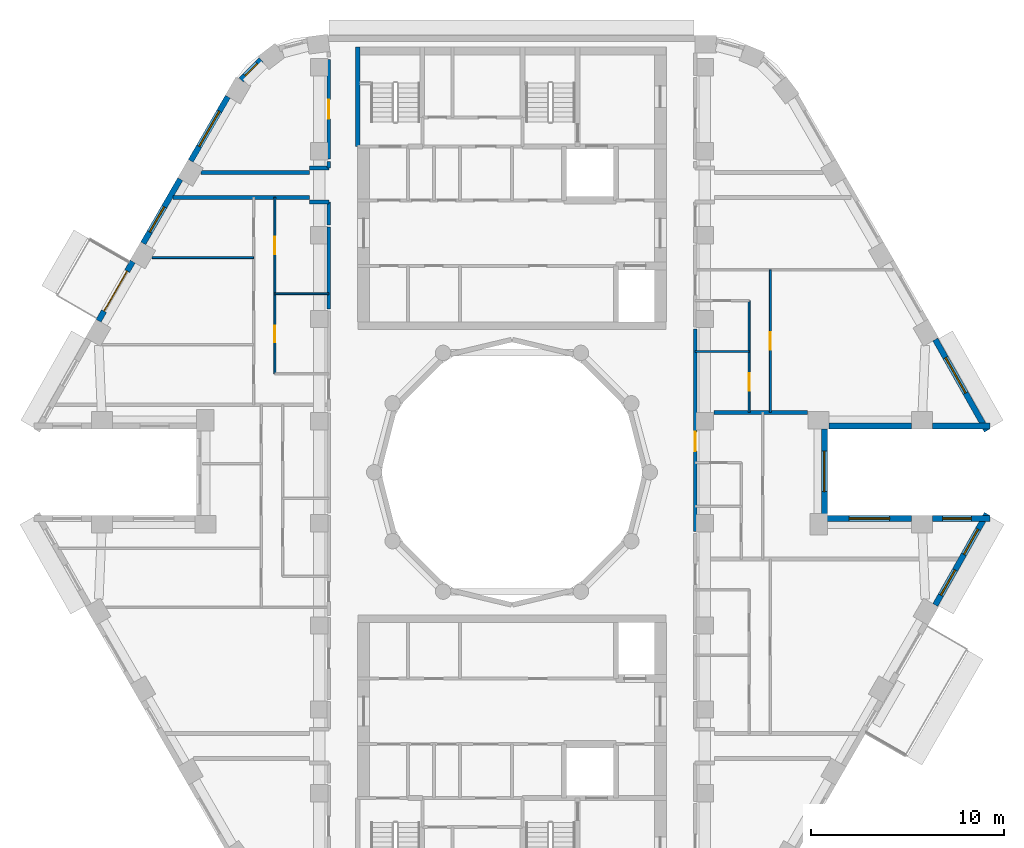
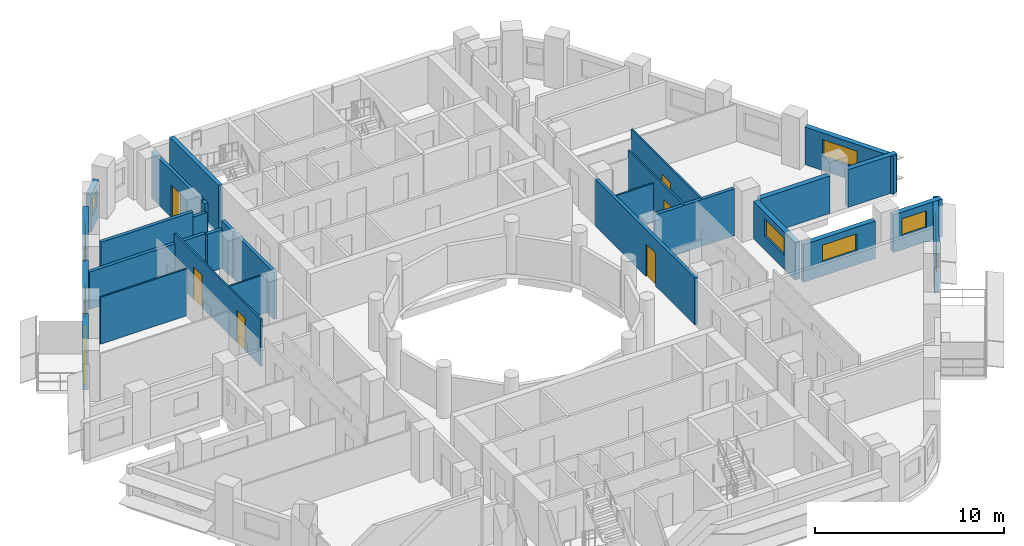
# One storey, part 6 of 14: 28 walls, 9 windows, 7 doors, 16 openings.
"""IFC4 building model written with IfcOpenShell, lengths in metres."""

import ifcopenshell
import ifcopenshell.guid

model = None  # the IFC model being written
_history = None  # IfcOwnerHistory: only IFC2X3 demands one
_inside = {}  # id of a spatial element -> (the spatial element, [elements in it])
_under = {}  # id of a project, library or spatial element -> (it, [spatial elements below it])
_declared = {}  # id of a project -> (the project, [libraries it declares])
_typed = {}  # id of a type object -> (the type object, [elements of that type])
_made_of = {}  # id of a material, layer set ... -> (it, [elements and type objects made of it])


def new_model(schema):
    """Start an empty IFC model of exactly this schema.

    Asked for "IFC4X3", IfcOpenShell would pick the latest addendum, in which some entities
    have other attributes; the version numbers below select the first issue.
    IFC2X3 requires an IfcOwnerHistory on every rooted entity: one is made here for all.
    """
    global model, _history
    if schema == "IFC4X3":
        model = ifcopenshell.file(schema_version=(4, 3, 0, 0))
    else:
        model = ifcopenshell.file(schema=schema)
    _inside.clear()
    _under.clear()
    _declared.clear()
    _typed.clear()
    _made_of.clear()
    _history = None
    if model.schema == "IFC2X3":
        org = make("IfcOrganization", Name="unknown")
        user = make(
            "IfcPersonAndOrganization",
            ThePerson=make("IfcPerson", FamilyName="unknown"),
            TheOrganization=org,
        )
        app = make(
            "IfcApplication",
            ApplicationDeveloper=org,
            Version="unknown",
            ApplicationFullName="unknown",
            ApplicationIdentifier="unknown",
        )
        _history = make(
            "IfcOwnerHistory",
            OwningUser=user,
            OwningApplication=app,
            ChangeAction="ADDED",
            CreationDate=0,
        )
    return model


def make(cls, **values):
    """One entity of the class cls with the attributes given. An attribute that is None is left unset."""
    return model.create_entity(
        cls, **{name: value for name, value in values.items() if value is not None}
    )


def rooted(cls, **values):
    """An entity with a GlobalId (a new one), such as an element, a storey or a relation."""
    return make(cls, GlobalId=ifcopenshell.guid.new(), OwnerHistory=_history, **values)


def si_unit(unit_type, name, prefix=None):
    """IfcSIUnit, for example si_unit("LENGTHUNIT", "METRE", prefix="MILLI")."""
    return make("IfcSIUnit", UnitType=unit_type, Prefix=prefix, Name=name)


def assignment(units):
    """IfcUnitAssignment: the units of a project."""
    return None if units is None else make("IfcUnitAssignment", Units=units)


def point(xyz):
    """IfcCartesianPoint."""
    return None if xyz is None else make("IfcCartesianPoint", Coordinates=xyz)


def direction(xyz):
    """IfcDirection."""
    return None if xyz is None else make("IfcDirection", DirectionRatios=xyz)


def frame(location, z_axis=None, x_axis=None):
    """IfcAxis2Placement3D, a coordinate frame: its origin and axes. An axis left out is left unset."""
    return make(
        "IfcAxis2Placement3D",
        Location=point(location),
        Axis=direction(z_axis),
        RefDirection=direction(x_axis),
    )


def frame_2d(location, x_axis=None):
    """IfcAxis2Placement2D, a coordinate frame in the plane: its origin and x axis."""
    return make(
        "IfcAxis2Placement2D", Location=point(location), RefDirection=direction(x_axis)
    )


def origin():
    """The frame at (0, 0, 0) with its axes left unset."""
    return frame((0.0, 0.0, 0.0))


def place(relative_to, where):
    """IfcLocalPlacement: puts the frame where relative to a parent placement (None: the world)."""
    return make(
        "IfcLocalPlacement", PlacementRelTo=relative_to, RelativePlacement=where
    )


def context(
    kind, dimensions, precision=None, world=None, true_north=None, identifier=None
):
    """IfcGeometricRepresentationContext, for example the 3D "Model" context."""
    return make(
        "IfcGeometricRepresentationContext",
        ContextIdentifier=identifier,
        ContextType=kind,
        CoordinateSpaceDimension=dimensions,
        Precision=precision,
        WorldCoordinateSystem=world,
        TrueNorth=true_north,
    )


def subcontext(parent, identifier, kind, view, scale=None):
    """IfcGeometricRepresentationSubContext, for example "Body" below "Model"."""
    return make(
        "IfcGeometricRepresentationSubContext",
        ContextIdentifier=identifier,
        ContextType=kind,
        ParentContext=parent,
        TargetScale=scale,
        TargetView=view,
    )


def project(units=None, contexts=None):
    """IfcProject with its units and contexts."""
    return rooted(
        "IfcProject",
        Name="project",
        RepresentationContexts=contexts,
        UnitsInContext=assignment(units),
    )


def spatial(cls, under=None, at=None, **own):
    """A site, building, storey or space (cls), placed at a placement, below another one or the project."""
    s = rooted(cls, ObjectPlacement=at, **own)
    if under is not None:
        _under.setdefault(under.id(), (under, []))[1].append(s)
    return s


def profile(cls, at=None, kind="AREA", **sizes):
    """A parametric profile (cls). Its sizes go by their IFC names, for example OverallWidth=200.0."""
    return make(cls, ProfileType=kind, Position=at, **sizes)


def rectangle(**sizes):
    """IfcRectangleProfileDef."""
    return profile("IfcRectangleProfileDef", **sizes)


def extrude(swept, where, along, depth):
    """IfcExtrudedAreaSolid: the profile swept, set in the frame where, extruded along a direction by depth."""
    return make(
        "IfcExtrudedAreaSolid",
        SweptArea=swept,
        Position=where,
        ExtrudedDirection=direction(along),
        Depth=depth,
    )


def shape(context_of_items, identifier, shape_type, items):
    """IfcShapeRepresentation: the items that make up one representation, for example the "Body"."""
    return make(
        "IfcShapeRepresentation",
        ContextOfItems=context_of_items,
        RepresentationIdentifier=identifier,
        RepresentationType=shape_type,
        Items=items,
    )


def material(Name=None, Category=None):
    """IfcMaterial."""
    return make("IfcMaterial", Name=Name, Category=Category)


def layer(
    of_material, thickness, ventilated=None, Name=None, Category=None, Priority=None
):
    """IfcMaterialLayer: one layer of a wall or slab, of a material (None: an air gap)."""
    return make(
        "IfcMaterialLayer",
        Material=of_material,
        LayerThickness=thickness,
        IsVentilated=ventilated,
        Name=Name,
        Category=Category,
        Priority=Priority,
    )


def layer_set(layers, Name=None):
    """IfcMaterialLayerSet."""
    return make("IfcMaterialLayerSet", MaterialLayers=layers, LayerSetName=Name)


def made_of(thing, what):
    """Note that an element or type object is made of a material, layer set ...; save() writes the relation."""
    if what is not None:
        _made_of.setdefault(what.id(), (what, []))[1].append(thing)
    return thing


def type_object(cls, material=None, **own):
    """A type object (cls), such as IfcWallType, which elements share."""
    return made_of(rooted(cls, **own), material)


def element(
    cls,
    number,
    at=None,
    inside=None,
    cuts=None,
    type_object=None,
    material=None,
    context=None,
    identifier="Body",
    shape_type=None,
    held_by="IfcProductDefinitionShape",
    body=None,
    shapes=None,
    **own,
):
    """One element of the class cls, such as IfcWall. Its Tag is "e" and its number.

    at: its placement. inside: the storey or other place that contains it. cuts: it is an
    opening in that element (IfcRelVoidsElement). A single representation is given by context,
    identifier, shape_type and body (its items); several are given by shapes. held_by: the class
    of the entity that holds the representations. save() writes the other relations.
    """
    e = rooted(cls, Tag="e%d" % number, ObjectPlacement=at, **own)
    if body is not None:
        shapes = [shape(context, identifier, shape_type, body)]
    if shapes is not None:
        e.Representation = make(held_by, Representations=shapes)
    if inside is not None:
        _inside.setdefault(inside.id(), (inside, []))[1].append(e)
    if cuts is not None:
        rooted(
            "IfcRelVoidsElement", RelatingBuildingElement=cuts, RelatedOpeningElement=e
        )
    if type_object is not None:
        _typed.setdefault(type_object.id(), (type_object, []))[1].append(e)
    return made_of(e, material)


def fill(opening, filler):
    """IfcRelFillsElement: the door or window that sits in an opening."""
    return rooted(
        "IfcRelFillsElement",
        RelatingOpeningElement=opening,
        RelatedBuildingElement=filler,
    )


def aggregate(whole, parts):
    """IfcRelAggregates: a whole, such as a stair, and the parts it consists of."""
    return rooted("IfcRelAggregates", RelatingObject=whole, RelatedObjects=parts)


def save(model, path):
    """Write the relations noted so far, then the file.

    IfcRelAggregates (storeys below a building ...), IfcRelContainedInSpatialStructure (elements
    in a storey), IfcRelDefinesByType, IfcRelAssociatesMaterial and IfcRelDeclares: one each for
    every whole, place, type object, material and project.
    """
    for whole, parts in _under.values():
        aggregate(whole, parts)
    for where, things in _inside.values():
        rooted(
            "IfcRelContainedInSpatialStructure",
            RelatedElements=things,
            RelatingStructure=where,
        )
    for kind, things in _typed.values():
        rooted("IfcRelDefinesByType", RelatedObjects=things, RelatingType=kind)
    for what, things in _made_of.values():
        rooted("IfcRelAssociatesMaterial", RelatedObjects=things, RelatingMaterial=what)
    for by, libraries in _declared.values():
        rooted("IfcRelDeclares", RelatingContext=by, RelatedDefinitions=libraries)
    model.write(path)


model = new_model("IFC4")

# Units and contexts
model_context = context("Model", 3, precision=1e-05, world=origin(), true_north=direction((0.0, 1.0)))
body_context = subcontext(model_context, "Body", "Model", "MODEL_VIEW")
ifc_project = project(units=[si_unit("LENGTHUNIT", "METRE"), si_unit("AREAUNIT", "SQUARE_METRE"), si_unit("VOLUMEUNIT", "CUBIC_METRE"), si_unit("PLANEANGLEUNIT", "RADIAN"), si_unit("MASSUNIT", "GRAM", prefix="KILO")], contexts=[model_context])

# Site, building, storey
site_placement = place(None, origin())
site = spatial("IfcSite", under=ifc_project, at=site_placement, CompositionType="ELEMENT")
building_placement = place(site_placement, origin())
building = spatial("IfcBuilding", under=site, at=building_placement, Name="Nakaniwa Court", CompositionType="ELEMENT")
storey_placement = place(building_placement, frame((0.0, 0.0, 262.5)))
storey = spatial("IfcBuildingStorey", under=building, at=storey_placement, Name="L69", CompositionType="ELEMENT", Elevation=262.5)

# Wall, opening, door
ifc_material_1 = material(Name="Acoustic double stud partition")
ifc_layer_1 = layer(ifc_material_1, 0.199951171875)
ifc_layer_set_1 = layer_set([ifc_layer_1], Name="Acoustic double stud partition")
wall_type_1 = type_object("IfcWallType", Name="Acoustic double stud partition 200", PredefinedType="PARTITIONING", material=ifc_layer_set_1)
wall_1_placement = place(storey_placement, frame((89.5, 87.423095703125, 0.0), z_axis=(0.0, 0.0, 1.0), x_axis=(0.0, -1.0, 0.0)))
wall_1 = element("IfcWall", 1, at=wall_1_placement, inside=storey, type_object=wall_type_1, Name="Partition PW-062", PredefinedType="PARTITIONING", context=body_context, shape_type="SweptSolid", body=[
    extrude(rectangle(XDim=10.486083984375, YDim=0.199951171875, at=frame_2d((5.2431640625, 0.0))), origin(), (0.0, 0.0, 1.0), 3.02490234375),
])
opening_1_placement = place(wall_1_placement, frame((5.322998046875, 0.0, 0.0)))
opening_1 = element("IfcOpeningElement", 2, at=opening_1_placement, cuts=wall_1, Name="Opening D-01-02", PredefinedType="OPENING", context=body_context, shape_type="SweptSolid", body=[
    extrude(rectangle(XDim=1.0, YDim=2.10009765625, at=frame_2d((0.5, 1.050048828125))), frame((0.0, 0.10986328125, 0.0), z_axis=(0.0, -1.0, 0.0), x_axis=(1.0, 0.0, 0.0)), (0.0, 0.0, 1.0), 0.219970703125),
])
ifc_material_2 = material(Name="Solid core timber door set, black veneer", Category="wood")
door_type_1 = type_object("IfcDoorType", Name="Flat entrance door 1000", OperationType="NOTDEFINED", PredefinedType="DOOR", material=ifc_material_2)
door_1_placement = place(opening_1_placement, origin())
door_1 = element("IfcDoor", 3, at=door_1_placement, inside=storey, type_object=door_type_1, Name="Door D-01-02 L69-033", OperationType="SINGLE_SWING_RIGHT", OverallHeight=2.10009765625, OverallWidth=1.0, PredefinedType="DOOR", context=body_context, shape_type="SweptSolid", body=[
    extrude(rectangle(XDim=1.0, YDim=2.10009765625, at=frame_2d((0.5, 1.050048828125))), frame((0.0, 0.02490234375, 0.0), z_axis=(0.0, -1.0, 0.0), x_axis=(1.0, 0.0, 0.0)), (0.0, 0.0, 1.0), 0.050048828125),
])
fill(opening_1, door_1)

# Walls
wall_2_placement = place(storey_placement, frame((62.419677734375, 94.25, 0.0), z_axis=(0.0, 0.0, 1.0), x_axis=(1.0, 0.0, 0.0)))
element("IfcWall", 4, at=wall_2_placement, inside=storey, type_object=wall_type_1, Name="Partition PW-068", PredefinedType="PARTITIONING", context=body_context, shape_type="SweptSolid", body=[
    extrude(rectangle(XDim=7.080322265625, YDim=0.199951171875, at=frame_2d((3.5400390625, 0.0))), origin(), (0.0, 0.0, 1.0), 2.405029296875),
])
for number, where, z_axis, x_axis, name in (
    (5, (69.5, 94.02490234375, 0.0), (0.0, 0.0, 1.0), (1.0, 0.0, 0.0), "Partition PW-070"),
    (6, (69.5, 95.77490234375, 0.0), (0.0, 0.0, 1.0), (1.0, 0.0, 0.0), "Partition PW-072"),
):
    element("IfcWall", number, at=place(storey_placement, frame(where, z_axis=z_axis, x_axis=x_axis)), inside=storey, type_object=wall_type_1, Name=name, PredefinedType="PARTITIONING", context=body_context, shape_type="SweptSolid", body=[
        extrude(rectangle(XDim=1.0, YDim=0.199951171875, at=frame_2d((0.5, 0.0))), origin(), (0.0, 0.0, 1.0), 2.5048828125),
    ])
wall_3_placement = place(storey_placement, frame((63.88330078125, 95.550048828125, 0.0), z_axis=(0.0, 0.0, 1.0), x_axis=(1.0, 0.0, 0.0)))
element("IfcWall", 7, at=wall_3_placement, inside=storey, type_object=wall_type_1, Name="Partition PW-074", PredefinedType="PARTITIONING", context=body_context, shape_type="SweptSolid", body=[
    extrude(rectangle(XDim=5.61669921875, YDim=0.199951171875, at=frame_2d((2.808349609375, 0.0))), origin(), (0.0, 0.0, 1.0), 3.02490234375),
])
wall_4_placement = place(storey_placement, frame((70.5, 88.47705078125, 0.0), z_axis=(0.0, 0.0, 1.0), x_axis=(0.0, 1.0, 0.0)))
element("IfcWall", 8, at=wall_4_placement, inside=storey, type_object=wall_type_1, Name="Partition PW-092", PredefinedType="PARTITIONING", context=body_context, shape_type="SweptSolid", body=[
    extrude(rectangle(XDim=4.23583984375, YDim=0.199951171875, at=frame_2d((2.117919921875, 0.0))), origin(), (0.0, 0.0, 1.0), 3.02490234375),
])
wall_5_placement = place(storey_placement, frame((70.5, 92.826904296875, 0.0), z_axis=(0.0, 0.0, 1.0), x_axis=(0.0, 1.0, 0.0)))
element("IfcWall", 9, at=wall_5_placement, inside=storey, type_object=wall_type_1, Name="Partition PW-093", PredefinedType="PARTITIONING", context=body_context, shape_type="SweptSolid", body=[
    extrude(rectangle(XDim=1.201171875, YDim=0.199951171875, at=frame_2d((0.6005859375, 0.0))), origin(), (0.0, 0.0, 1.0), 3.02490234375),
])
wall_6_placement = place(storey_placement, frame((70.5, 95.77197265625, 0.0), z_axis=(0.0, 0.0, 1.0), x_axis=(0.0, 1.0, 0.0)))
element("IfcWall", 10, at=wall_6_placement, inside=storey, type_object=wall_type_1, Name="Partition PW-094", PredefinedType="PARTITIONING", context=body_context, shape_type="SweptSolid", body=[
    extrude(rectangle(XDim=0.35107421875, YDim=0.199951171875, at=frame_2d((0.175537109375, 0.0))), origin(), (0.0, 0.0, 1.0), 3.02490234375),
])

# Wall, opening, door
wall_7_placement = place(storey_placement, frame((70.5, 96.237060546875, 0.0), z_axis=(0.0, 0.0, 1.0), x_axis=(0.0, 1.0, 0.0)))
wall_7 = element("IfcWall", 11, at=wall_7_placement, inside=storey, type_object=wall_type_1, Name="Partition PW-095", PredefinedType="PARTITIONING", context=body_context, shape_type="SweptSolid", body=[
    extrude(rectangle(XDim=5.176025390625, YDim=0.199951171875, at=frame_2d((2.587890625, 0.0))), origin(), (0.0, 0.0, 1.0), 3.02490234375),
])
opening_2_placement = place(wall_7_placement, frame((2.087890625, 0.0, 0.0)))
opening_2 = element("IfcOpeningElement", 12, at=opening_2_placement, cuts=wall_7, Name="Opening D-02-02", PredefinedType="OPENING", context=body_context, shape_type="SweptSolid", body=[
    extrude(rectangle(XDim=1.0, YDim=2.10009765625, at=frame_2d((0.5, 1.050048828125))), frame((0.0, 0.10986328125, 0.0), z_axis=(0.0, -1.0, 0.0), x_axis=(1.0, 0.0, 0.0)), (0.0, 0.0, 1.0), 0.219970703125),
])
door_type_2 = type_object("IfcDoorType", Name="Internal door 1000", OperationType="NOTDEFINED", PredefinedType="DOOR", material=ifc_material_2)
door_2_placement = place(opening_2_placement, origin())
door_2 = element("IfcDoor", 13, at=door_2_placement, inside=storey, type_object=door_type_2, Name="Door D-02-02 L69-054", OperationType="SINGLE_SWING_LEFT", OverallHeight=2.10009765625, OverallWidth=1.0, PredefinedType="DOOR", context=body_context, shape_type="SweptSolid", body=[
    extrude(rectangle(XDim=1.0, YDim=2.10009765625, at=frame_2d((0.5, 1.050048828125))), frame((0.0, 0.02490234375, 0.0), z_axis=(0.0, -1.0, 0.0), x_axis=(1.0, 0.0, 0.0)), (0.0, 0.0, 1.0), 0.050048828125),
])
fill(opening_2, door_2)

# Walls
wall_8_placement = place(storey_placement, frame((90.469970703125, 83.10009765625, 0.0), z_axis=(0.0, 0.0, 1.0), x_axis=(1.0, 0.0, 0.0)))
element("IfcWall", 14, at=wall_8_placement, inside=storey, type_object=wall_type_1, Name="Partition PW-108", PredefinedType="PARTITIONING", context=body_context, shape_type="SweptSolid", body=[
    extrude(rectangle(XDim=4.859619140625, YDim=0.199951171875, at=frame_2d((2.4296875, 0.0))), origin(), (0.0, 0.0, 1.0), 3.02490234375),
])
ifc_material_3 = material(Name="Charcoal ceramic cladding")
ifc_layer_2 = layer(ifc_material_3, 0.02, Name="Ceramic cladding")
ifc_material_4 = material(Name="Ventilated air cavity")
ifc_layer_3 = layer(ifc_material_4, 0.04, ventilated=True, Name="Ventilated cavity")
ifc_material_5 = material(Name="Mineral wool insulation")
ifc_layer_4 = layer(ifc_material_5, 0.1, Name="Insulation")
ifc_material_6 = material(Name="Cement bonded sheathing board")
ifc_layer_5 = layer(ifc_material_6, 0.012, Name="Sheathing")
ifc_material_7 = material(Name="Cold-formed galvanised stud frame with mineral wool infill")
ifc_layer_6 = layer(ifc_material_7, 0.1, Name="Stud frame")
ifc_material_8 = material(Name="Fire-rated gypsum plasterboard lining")
ifc_layer_7 = layer(ifc_material_8, 0.028, Name="Lining")
ifc_layer_set_2 = layer_set([ifc_layer_2, ifc_layer_3, ifc_layer_4, ifc_layer_5, ifc_layer_6, ifc_layer_7], Name="Charcoal ceramic faced external wall system")
wall_type_2 = type_object("IfcWallType", Name="Black ceramic faced external wall 300", PredefinedType="SOLIDWALL", material=ifc_layer_set_2)
wall_9_placement = place(storey_placement, frame((96.445556640625, 82.39990234375, 0.0), z_axis=(0.0, 0.0, 1.0), x_axis=(1.0, 0.0, 0.0)))
element("IfcWall", 15, at=wall_9_placement, inside=storey, type_object=wall_type_2, Name="L69 external wall 00", PredefinedType="SOLIDWALL", context=body_context, shape_type="SweptSolid", body=[
    extrude(rectangle(XDim=4.2724609375, YDim=0.300048828125, at=frame_2d((2.13623046875, 0.0))), origin(), (0.0, 0.0, 1.0), 2.425048828125),
])
wall_10_placement = place(storey_placement, frame((101.81005859375, 82.39990234375, 0.0), z_axis=(0.0, 0.0, 1.0), x_axis=(1.0, 0.0, 0.0)))
element("IfcWall", 16, at=wall_10_placement, inside=storey, type_object=wall_type_2, Name="L69 external wall 01", PredefinedType="SOLIDWALL", context=body_context, shape_type="SweptSolid", body=[
    extrude(rectangle(XDim=2.98779296875, YDim=0.300048828125, at=frame_2d((1.493896484375, 0.0))), origin(), (0.0, 0.0, 1.0), 2.425048828125),
])

# Wall, opening, window
wall_11_placement = place(storey_placement, frame((104.627197265625, 82.153564453125, 0.0), z_axis=(0.0, 0.0, 1.0), x_axis=(-0.492080931903, 0.870549456641, 0.0)))
wall_11 = element("IfcWall", 17, at=wall_11_placement, inside=storey, type_object=wall_type_2, Name="L69 external wall 02", PredefinedType="SOLIDWALL", context=body_context, shape_type="SweptSolid", body=[
    extrude(rectangle(XDim=5.436767578125, YDim=0.300048828125, at=frame_2d((2.71826171875, 0.0))), origin(), (0.0, 0.0, 1.0), 2.425048828125),
])
opening_3_placement = place(wall_11_placement, frame((2.247314453125, 0.0, 0.89990234375)))
opening_3 = element("IfcOpeningElement", 18, at=opening_3_placement, cuts=wall_11, Name="Opening W7.01", PredefinedType="OPENING", context=body_context, shape_type="SweptSolid", body=[
    extrude(rectangle(XDim=2.10009765625, YDim=1.10009765625, at=frame_2d((1.050048828125, 0.550048828125))), frame((0.0, 0.159912109375, 0.0), z_axis=(0.0, -1.0, 0.0), x_axis=(1.0, 0.0, 0.0)), (0.0, 0.0, 1.0), 0.320068359375),
])
ifc_material_9 = material(Name="Black anodised aluminium frame with dark low-E laminated double glazing", Category="aluminium")
window_type_1 = type_object("IfcWindowType", Name="Dark glass window 2100x1100 sill 900", PartitioningType="SINGLE_PANEL", PredefinedType="WINDOW", material=ifc_material_9)
window_1_placement = place(opening_3_placement, origin())
window_1 = element("IfcWindow", 19, at=window_1_placement, inside=storey, type_object=window_type_1, Name="L69 living window 02-0", OverallHeight=1.10009765625, OverallWidth=2.10009765625, PartitioningType="SINGLE_PANEL", PredefinedType="WINDOW", context=body_context, shape_type="SweptSolid", body=[
    extrude(rectangle(XDim=2.10009765625, YDim=1.10009765625, at=frame_2d((1.050048828125, 0.550048828125))), frame((0.0, 0.030029296875, 0.0), z_axis=(0.0, -1.0, 0.0), x_axis=(1.0, 0.0, 0.0)), (0.0, 0.0, 1.0), 0.06005859375),
])
fill(opening_3, window_1)

wall_12_placement = place(storey_placement, frame((66.99560546875, 101.388427734375, 0.0), z_axis=(0.0, 0.0, 1.0), x_axis=(-0.708589353117, -0.705621094249, 0.0)))
wall_12 = element("IfcWall", 20, at=wall_12_placement, inside=storey, type_object=wall_type_2, Name="L69 external wall 10", PredefinedType="SOLIDWALL", context=body_context, shape_type="SweptSolid", body=[
    extrude(rectangle(XDim=1.48046875, YDim=0.300048828125, at=frame_2d((0.740234375, 0.0))), origin(), (0.0, 0.0, 1.0), 2.425048828125),
])
opening_4_placement = place(wall_12_placement, frame((0.27978515625, 0.0, 0.89990234375)))
opening_4 = element("IfcOpeningElement", 21, at=opening_4_placement, cuts=wall_12, Name="Opening W9.08", PredefinedType="OPENING", context=body_context, shape_type="SweptSolid", body=[
    extrude(rectangle(XDim=0.89990234375, YDim=1.10009765625, at=frame_2d((0.449951171875, 0.550048828125))), frame((0.0, 0.159912109375, 0.0), z_axis=(0.0, -1.0, 0.0), x_axis=(1.0, 0.0, 0.0)), (0.0, 0.0, 1.0), 0.320068359375),
])
window_type_2 = type_object("IfcWindowType", Name="Dark glass window 900x1100 sill 900", PartitioningType="SINGLE_PANEL", PredefinedType="WINDOW", material=ifc_material_9)
window_2_placement = place(opening_4_placement, origin())
window_2 = element("IfcWindow", 22, at=window_2_placement, inside=storey, type_object=window_type_2, Name="L69 habitable room window 10-0", OverallHeight=1.10009765625, OverallWidth=0.89990234375, PartitioningType="SINGLE_PANEL", PredefinedType="WINDOW", context=body_context, shape_type="SweptSolid", body=[
    extrude(rectangle(XDim=0.89990234375, YDim=1.10009765625, at=frame_2d((0.449951171875, 0.550048828125))), frame((0.0, 0.030029296875, 0.0), z_axis=(0.0, -1.0, 0.0), x_axis=(1.0, 0.0, 0.0)), (0.0, 0.0, 1.0), 0.06005859375),
])
fill(opening_4, window_2)

wall_13_placement = place(storey_placement, frame((65.26416015625, 99.476806640625, 0.0), z_axis=(0.0, 0.0, 1.0), x_axis=(-0.499984490703, -0.866034357896, 0.0)))
wall_13 = element("IfcWall", 23, at=wall_13_placement, inside=storey, type_object=wall_type_2, Name="L69 external wall 11", PredefinedType="SOLIDWALL", context=body_context, shape_type="SweptSolid", body=[
    extrude(rectangle(XDim=3.84423828125, YDim=0.300048828125, at=frame_2d((1.922119140625, 0.0))), origin(), (0.0, 0.0, 1.0), 2.425048828125),
])
opening_5_placement = place(wall_13_placement, frame((0.8720703125, 0.0, 0.89990234375)))
opening_5 = element("IfcOpeningElement", 24, at=opening_5_placement, cuts=wall_13, Name="Opening W7.09", PredefinedType="OPENING", context=body_context, shape_type="SweptSolid", body=[
    extrude(rectangle(XDim=2.10009765625, YDim=1.10009765625, at=frame_2d((1.050048828125, 0.550048828125))), frame((0.0, 0.159912109375, 0.0), z_axis=(0.0, -1.0, 0.0), x_axis=(1.0, 0.0, 0.0)), (0.0, 0.0, 1.0), 0.320068359375),
])
window_3_placement = place(opening_5_placement, origin())
window_3 = element("IfcWindow", 25, at=window_3_placement, inside=storey, type_object=window_type_1, Name="L69 habitable room window 11-0", OverallHeight=1.10009765625, OverallWidth=2.10009765625, PartitioningType="SINGLE_PANEL", PredefinedType="WINDOW", context=body_context, shape_type="SweptSolid", body=[
    extrude(rectangle(XDim=2.10009765625, YDim=1.10009765625, at=frame_2d((1.050048828125, 0.550048828125))), frame((0.0, 0.030029296875, 0.0), z_axis=(0.0, -1.0, 0.0), x_axis=(1.0, 0.0, 0.0)), (0.0, 0.0, 1.0), 0.06005859375),
])
fill(opening_5, window_3)

wall_14_placement = place(storey_placement, frame((62.7958984375, 95.201904296875, 0.0), z_axis=(0.0, 0.0, 1.0), x_axis=(-0.499984490703, -0.866034357896, 0.0)))
wall_14 = element("IfcWall", 26, at=wall_14_placement, inside=storey, type_object=wall_type_2, Name="L69 external wall 12", PredefinedType="SOLIDWALL", context=body_context, shape_type="SweptSolid", body=[
    extrude(rectangle(XDim=3.84423828125, YDim=0.300048828125, at=frame_2d((1.922119140625, 0.0))), origin(), (0.0, 0.0, 1.0), 2.425048828125),
])
opening_6_placement = place(wall_14_placement, frame((1.66064453125, 0.0, 0.89990234375)))
opening_6 = element("IfcOpeningElement", 27, at=opening_6_placement, cuts=wall_14, Name="Opening W5.10", PredefinedType="OPENING", context=body_context, shape_type="SweptSolid", body=[
    extrude(rectangle(XDim=1.5, YDim=1.10009765625, at=frame_2d((0.75, 0.550048828125))), frame((0.0, 0.159912109375, 0.0), z_axis=(0.0, -1.0, 0.0), x_axis=(1.0, 0.0, 0.0)), (0.0, 0.0, 1.0), 0.320068359375),
])
window_type_3 = type_object("IfcWindowType", Name="Dark glass window 1500x1100 sill 900", PartitioningType="SINGLE_PANEL", PredefinedType="WINDOW", material=ifc_material_9)
window_4_placement = place(opening_6_placement, origin())
window_4 = element("IfcWindow", 28, at=window_4_placement, inside=storey, type_object=window_type_3, Name="L69 bedroom window 12-1", OverallHeight=1.10009765625, OverallWidth=1.5, PartitioningType="SINGLE_PANEL", PredefinedType="WINDOW", context=body_context, shape_type="SweptSolid", body=[
    extrude(rectangle(XDim=1.5, YDim=1.10009765625, at=frame_2d((0.75, 0.550048828125))), frame((0.0, 0.030029296875, 0.0), z_axis=(0.0, -1.0, 0.0), x_axis=(1.0, 0.0, 0.0)), (0.0, 0.0, 1.0), 0.06005859375),
])
fill(opening_6, window_4)

# Wall, opening, door
wall_15_placement = place(storey_placement, frame((60.327880859375, 90.927001953125, 0.0), z_axis=(0.0, 0.0, 1.0), x_axis=(-0.500010404316, -0.866019396766, 0.0)))
wall_15 = element("IfcWall", 29, at=wall_15_placement, inside=storey, type_object=wall_type_2, Name="L69 external wall 13", PredefinedType="SOLIDWALL", context=body_context, shape_type="SweptSolid", body=[
    extrude(rectangle(XDim=3.54736328125, YDim=0.300048828125, at=frame_2d((1.773681640625, 0.0))), origin(), (0.0, 0.0, 1.0), 2.425048828125),
])
opening_7_placement = place(wall_15_placement, frame((0.573486328125, 0.0, 0.0)))
opening_7 = element("IfcOpeningElement", 30, at=opening_7_placement, cuts=wall_15, Name="Opening XD13.01", PredefinedType="OPENING", context=body_context, shape_type="SweptSolid", body=[
    extrude(rectangle(XDim=2.39990234375, YDim=2.0, at=frame_2d((1.199951171875, 1.0))), frame((0.0, 0.159912109375, 0.0), z_axis=(0.0, -1.0, 0.0), x_axis=(1.0, 0.0, 0.0)), (0.0, 0.0, 1.0), 0.320068359375),
])
ifc_material_10 = material(Name="Black powder-coated aluminium frame with dark laminated glass", Category="aluminium")
door_type_3 = type_object("IfcDoorType", Name="Balcony sliding door 2400x2000", OperationType="DOUBLE_DOOR_SLIDING", PredefinedType="DOOR", material=ifc_material_10)
door_3_placement = place(opening_7_placement, origin())
door_3 = element("IfcDoor", 31, at=door_3_placement, inside=storey, type_object=door_type_3, Name="L69 balcony sliding door 01", OperationType="DOUBLE_DOOR_SLIDING", OverallHeight=2.0, OverallWidth=2.39990234375, PredefinedType="DOOR", context=body_context, shape_type="SweptSolid", body=[
    extrude(rectangle(XDim=2.39990234375, YDim=2.0, at=frame_2d((1.199951171875, 1.0))), frame((0.0, 0.02490234375, 0.0), z_axis=(0.0, -1.0, 0.0), x_axis=(1.0, 0.0, 0.0)), (0.0, 0.0, 1.0), 0.050048828125),
])
fill(opening_7, door_3)

# Wall, openings, windows
wall_16_placement = place(storey_placement, frame((101.951904296875, 73.113525390625, 0.0), z_axis=(0.0, 0.0, 1.0), x_axis=(0.492080931903, 0.870549456641, 0.0)))
wall_16 = element("IfcWall", 32, at=wall_16_placement, inside=storey, type_object=wall_type_2, Name="L69 external wall 32", PredefinedType="SOLIDWALL", context=body_context, shape_type="SweptSolid", body=[
    extrude(rectangle(XDim=5.436767578125, YDim=0.300048828125, at=frame_2d((2.71826171875, 0.0))), origin(), (0.0, 0.0, 1.0), 2.425048828125),
])
opening_8_placement = place(wall_16_placement, frame((0.58544921875, 0.0, 0.89990234375)))
opening_8 = element("IfcOpeningElement", 33, at=opening_8_placement, cuts=wall_16, Name="Opening W5.30", PredefinedType="OPENING", context=body_context, shape_type="SweptSolid", body=[
    extrude(rectangle(XDim=1.5, YDim=1.10009765625, at=frame_2d((0.75, 0.550048828125))), frame((0.0, 0.159912109375, 0.0), z_axis=(0.0, -1.0, 0.0), x_axis=(1.0, 0.0, 0.0)), (0.0, 0.0, 1.0), 0.320068359375),
])
opening_9_placement = place(wall_16_placement, frame((3.01513671875, 0.0, 0.89990234375)))
opening_9 = element("IfcOpeningElement", 34, at=opening_9_placement, cuts=wall_16, Name="Opening W5.31", PredefinedType="OPENING", context=body_context, shape_type="SweptSolid", body=[
    extrude(rectangle(XDim=1.5, YDim=1.10009765625, at=frame_2d((0.75, 0.550048828125))), frame((0.0, 0.159912109375, 0.0), z_axis=(0.0, -1.0, 0.0), x_axis=(1.0, 0.0, 0.0)), (0.0, 0.0, 1.0), 0.320068359375),
])
window_5_placement = place(opening_8_placement, origin())
window_5 = element("IfcWindow", 35, at=window_5_placement, inside=storey, type_object=window_type_3, Name="L69 living window 32-0", OverallHeight=1.10009765625, OverallWidth=1.5, PartitioningType="SINGLE_PANEL", PredefinedType="WINDOW", context=body_context, shape_type="SweptSolid", body=[
    extrude(rectangle(XDim=1.5, YDim=1.10009765625, at=frame_2d((0.75, 0.550048828125))), frame((0.0, 0.030029296875, 0.0), z_axis=(0.0, -1.0, 0.0), x_axis=(1.0, 0.0, 0.0)), (0.0, 0.0, 1.0), 0.06005859375),
])
fill(opening_8, window_5)
window_6_placement = place(opening_9_placement, origin())
window_6 = element("IfcWindow", 36, at=window_6_placement, inside=storey, type_object=window_type_3, Name="L69 living window 32-1", OverallHeight=1.10009765625, OverallWidth=1.5, PartitioningType="SINGLE_PANEL", PredefinedType="WINDOW", context=body_context, shape_type="SweptSolid", body=[
    extrude(rectangle(XDim=1.5, YDim=1.10009765625, at=frame_2d((0.75, 0.550048828125))), frame((0.0, 0.030029296875, 0.0), z_axis=(0.0, -1.0, 0.0), x_axis=(1.0, 0.0, 0.0)), (0.0, 0.0, 1.0), 0.06005859375),
])
fill(opening_9, window_6)

# Wall, opening, window
wall_17_placement = place(storey_placement, frame((104.7978515625, 77.60009765625, 0.0), z_axis=(0.0, 0.0, 1.0), x_axis=(-1.0, 0.0, 0.0)))
wall_17 = element("IfcWall", 37, at=wall_17_placement, inside=storey, type_object=wall_type_2, Name="L69 external wall 33", PredefinedType="SOLIDWALL", context=body_context, shape_type="SweptSolid", body=[
    extrude(rectangle(XDim=2.98779296875, YDim=0.300048828125, at=frame_2d((1.493896484375, 0.0))), origin(), (0.0, 0.0, 1.0), 2.425048828125),
])
opening_10_placement = place(wall_17_placement, frame((0.968994140625, 0.0, 0.89990234375)))
opening_10 = element("IfcOpeningElement", 38, at=opening_10_placement, cuts=wall_17, Name="Opening W5.32", PredefinedType="OPENING", context=body_context, shape_type="SweptSolid", body=[
    extrude(rectangle(XDim=1.5, YDim=1.10009765625, at=frame_2d((0.75, 0.550048828125))), frame((0.0, 0.159912109375, 0.0), z_axis=(0.0, -1.0, 0.0), x_axis=(1.0, 0.0, 0.0)), (0.0, 0.0, 1.0), 0.320068359375),
])
window_7_placement = place(opening_10_placement, origin())
window_7 = element("IfcWindow", 39, at=window_7_placement, inside=storey, type_object=window_type_3, Name="L69 living window 33-0", OverallHeight=1.10009765625, OverallWidth=1.5, PartitioningType="SINGLE_PANEL", PredefinedType="WINDOW", context=body_context, shape_type="SweptSolid", body=[
    extrude(rectangle(XDim=1.5, YDim=1.10009765625, at=frame_2d((0.75, 0.550048828125))), frame((0.0, 0.030029296875, 0.0), z_axis=(0.0, -1.0, 0.0), x_axis=(1.0, 0.0, 0.0)), (0.0, 0.0, 1.0), 0.06005859375),
])
fill(opening_10, window_7)

wall_18_placement = place(storey_placement, frame((100.718017578125, 77.60009765625, 0.0), z_axis=(0.0, 0.0, 1.0), x_axis=(-1.0, 0.0, 0.0)))
wall_18 = element("IfcWall", 40, at=wall_18_placement, inside=storey, type_object=wall_type_2, Name="L69 external wall 34", PredefinedType="SOLIDWALL", context=body_context, shape_type="SweptSolid", body=[
    extrude(rectangle(XDim=4.37255859375, YDim=0.300048828125, at=frame_2d((2.186279296875, 0.0))), origin(), (0.0, 0.0, 1.0), 2.425048828125),
])
opening_11_placement = place(wall_18_placement, frame((1.13623046875, 0.0, 0.89990234375)))
opening_11 = element("IfcOpeningElement", 41, at=opening_11_placement, cuts=wall_18, Name="Opening W7.33", PredefinedType="OPENING", context=body_context, shape_type="SweptSolid", body=[
    extrude(rectangle(XDim=2.10009765625, YDim=1.10009765625, at=frame_2d((1.050048828125, 0.550048828125))), frame((0.0, 0.159912109375, 0.0), z_axis=(0.0, -1.0, 0.0), x_axis=(1.0, 0.0, 0.0)), (0.0, 0.0, 1.0), 0.320068359375),
])
window_8_placement = place(opening_11_placement, origin())
window_8 = element("IfcWindow", 42, at=window_8_placement, inside=storey, type_object=window_type_1, Name="L69 living window 34-0", OverallHeight=1.10009765625, OverallWidth=2.10009765625, PartitioningType="SINGLE_PANEL", PredefinedType="WINDOW", context=body_context, shape_type="SweptSolid", body=[
    extrude(rectangle(XDim=2.10009765625, YDim=1.10009765625, at=frame_2d((1.050048828125, 0.550048828125))), frame((0.0, 0.030029296875, 0.0), z_axis=(0.0, -1.0, 0.0), x_axis=(1.0, 0.0, 0.0)), (0.0, 0.0, 1.0), 0.06005859375),
])
fill(opening_11, window_8)

wall_19_placement = place(storey_placement, frame((96.199462890625, 77.845947265625, 0.0), z_axis=(0.0, 0.0, 1.0), x_axis=(0.0, 1.0, 0.0)))
wall_19 = element("IfcWall", 43, at=wall_19_placement, inside=storey, type_object=wall_type_2, Name="L69 external wall 35", PredefinedType="SOLIDWALL", context=body_context, shape_type="SweptSolid", body=[
    extrude(rectangle(XDim=4.407958984375, YDim=0.300048828125, at=frame_2d((2.2041015625, 0.0))), origin(), (0.0, 0.0, 1.0), 2.425048828125),
])
opening_12_placement = place(wall_19_placement, frame((1.154052734375, 0.0, 0.89990234375)))
opening_12 = element("IfcOpeningElement", 44, at=opening_12_placement, cuts=wall_19, Name="Opening W7.34", PredefinedType="OPENING", context=body_context, shape_type="SweptSolid", body=[
    extrude(rectangle(XDim=2.10009765625, YDim=1.10009765625, at=frame_2d((1.050048828125, 0.550048828125))), frame((0.0, 0.159912109375, 0.0), z_axis=(0.0, -1.0, 0.0), x_axis=(1.0, 0.0, 0.0)), (0.0, 0.0, 1.0), 0.320068359375),
])
window_9_placement = place(opening_12_placement, origin())
window_9 = element("IfcWindow", 45, at=window_9_placement, inside=storey, type_object=window_type_1, Name="L69 living window 35-0", OverallHeight=1.10009765625, OverallWidth=2.10009765625, PartitioningType="SINGLE_PANEL", PredefinedType="WINDOW", context=body_context, shape_type="SweptSolid", body=[
    extrude(rectangle(XDim=2.10009765625, YDim=1.10009765625, at=frame_2d((1.050048828125, 0.550048828125))), frame((0.0, 0.030029296875, 0.0), z_axis=(0.0, -1.0, 0.0), x_axis=(1.0, 0.0, 0.0)), (0.0, 0.0, 1.0), 0.06005859375),
])
fill(opening_12, window_9)

# Wall
ifc_material_11 = material(Name="Concrete C80/100", Category="concrete")
ifc_layer_8 = layer(ifc_material_11, 0.25)
ifc_layer_set_3 = layer_set([ifc_layer_8], Name="Concrete C80/100")
wall_type_3 = type_object("IfcWallType", Name="Concrete core wall 250 C80", PredefinedType="SHEAR", material=ifc_layer_set_3)
wall_20_placement = place(storey_placement, frame((72.0, 96.89990234375, -0.27490234375), z_axis=(0.0, 0.0, 1.0), x_axis=(0.0, 1.0, 0.0)))
element("IfcWall", 46, at=wall_20_placement, inside=storey, type_object=wall_type_3, Name="Core wall SW-23", PredefinedType="SHEAR", context=body_context, shape_type="SweptSolid", body=[
    extrude(rectangle(XDim=5.150146484375, YDim=0.25, at=frame_2d((2.5751953125, 0.0))), origin(), (0.0, 0.0, 1.0), 3.2998046875),
])

# Wall, opening, door
ifc_material_12 = material(Name="Single stud plasterboard partition")
ifc_layer_9 = layer(ifc_material_12, 0.10009765625)
ifc_layer_set_4 = layer_set([ifc_layer_9], Name="Single stud plasterboard partition")
wall_type_4 = type_object("IfcWallType", Name="Single stud plasterboard partition 100", PredefinedType="PARTITIONING", material=ifc_layer_set_4)
wall_21_placement = place(storey_placement, frame((92.300048828125, 83.10009765625, 0.0), z_axis=(0.0, 0.0, 1.0), x_axis=(0.0, 1.0, 0.0)))
wall_21 = element("IfcWall", 47, at=wall_21_placement, inside=storey, type_object=wall_type_4, Name="Partition PW-099", PredefinedType="PARTITIONING", context=body_context, shape_type="SweptSolid", body=[
    extrude(rectangle(XDim=5.7998046875, YDim=0.10009765625, at=frame_2d((2.89990234375, 0.0))), origin(), (0.0, 0.0, 1.0), 3.02490234375),
])
opening_13_placement = place(wall_21_placement, frame((1.132080078125, 0.0, 0.0)))
opening_13 = element("IfcOpeningElement", 48, at=opening_13_placement, cuts=wall_21, Name="Opening D-33-05", PredefinedType="OPENING", context=body_context, shape_type="SweptSolid", body=[
    extrude(rectangle(XDim=0.89990234375, YDim=2.10009765625, at=frame_2d((0.449951171875, 1.050048828125))), frame((0.0, 0.06005859375, 0.0), z_axis=(0.0, -1.0, 0.0), x_axis=(1.0, 0.0, 0.0)), (0.0, 0.0, 1.0), 0.1201171875),
])
door_type_4 = type_object("IfcDoorType", Name="Internal door 900", OperationType="NOTDEFINED", PredefinedType="DOOR", material=ifc_material_2)
door_4_placement = place(opening_13_placement, origin())
door_4 = element("IfcDoor", 49, at=door_4_placement, inside=storey, type_object=door_type_4, Name="Door D-33-05 L69-038", OperationType="SINGLE_SWING_LEFT", OverallHeight=2.10009765625, OverallWidth=0.89990234375, PredefinedType="DOOR", context=body_context, shape_type="SweptSolid", body=[
    extrude(rectangle(XDim=0.89990234375, YDim=2.10009765625, at=frame_2d((0.449951171875, 1.050048828125))), frame((0.0, 0.02490234375, 0.0), z_axis=(0.0, -1.0, 0.0), x_axis=(1.0, 0.0, 0.0)), (0.0, 0.0, 1.0), 0.050048828125),
])
fill(opening_13, door_4)

wall_22_placement = place(storey_placement, frame((93.39990234375, 90.5, 0.0), z_axis=(0.0, 0.0, 1.0), x_axis=(0.0, -1.0, 0.0)))
wall_22 = element("IfcWall", 50, at=wall_22_placement, inside=storey, type_object=wall_type_4, Name="Partition PW-102", PredefinedType="PARTITIONING", context=body_context, shape_type="SweptSolid", body=[
    extrude(rectangle(XDim=7.39990234375, YDim=0.10009765625, at=frame_2d((3.699951171875, 0.0))), origin(), (0.0, 0.0, 1.0), 3.02490234375),
])
opening_14_placement = place(wall_22_placement, frame((3.25, 0.0, 0.0)))
opening_14 = element("IfcOpeningElement", 51, at=opening_14_placement, cuts=wall_22, Name="Opening D-33-06", PredefinedType="OPENING", context=body_context, shape_type="SweptSolid", body=[
    extrude(rectangle(XDim=0.89990234375, YDim=2.10009765625, at=frame_2d((0.449951171875, 1.050048828125))), frame((0.0, 0.06005859375, 0.0), z_axis=(0.0, -1.0, 0.0), x_axis=(1.0, 0.0, 0.0)), (0.0, 0.0, 1.0), 0.1201171875),
])
door_5_placement = place(opening_14_placement, origin())
door_5 = element("IfcDoor", 52, at=door_5_placement, inside=storey, type_object=door_type_4, Name="Door D-33-06 L69-040", OperationType="SINGLE_SWING_LEFT", OverallHeight=2.10009765625, OverallWidth=0.89990234375, PredefinedType="DOOR", context=body_context, shape_type="SweptSolid", body=[
    extrude(rectangle(XDim=0.89990234375, YDim=2.10009765625, at=frame_2d((0.449951171875, 1.050048828125))), frame((0.0, 0.02490234375, 0.0), z_axis=(0.0, -1.0, 0.0), x_axis=(1.0, 0.0, 0.0)), (0.0, 0.0, 1.0), 0.050048828125),
])
fill(opening_14, door_5)

# Walls
for number, where, z_axis, x_axis, name in (
    (53, (89.5, 86.263916015625, 0.0), (0.0, 0.0, 1.0), (1.0, 0.0, 0.0), "Partition PW-109"),
    (54, (67.699951171875, 89.259033203125, 0.0), (0.0, 0.0, 1.0), (1.0, 0.0, 0.0), "Partition PW-120"),
):
    element("IfcWall", number, at=place(storey_placement, frame(where, z_axis=z_axis, x_axis=x_axis)), inside=storey, type_object=wall_type_4, Name=name, PredefinedType="PARTITIONING", context=body_context, shape_type="SweptSolid", body=[
        extrude(rectangle(XDim=2.800048828125, YDim=0.10009765625, at=frame_2d((1.39990234375, 0.0))), origin(), (0.0, 0.0, 1.0), 2.5048828125),
    ])

# Wall, openings, doors
wall_23_placement = place(storey_placement, frame((67.699951171875, 94.25, 0.0), z_axis=(0.0, 0.0, 1.0), x_axis=(0.0, -1.0, 0.0)))
wall_23 = element("IfcWall", 55, at=wall_23_placement, inside=storey, type_object=wall_type_4, Name="Partition PW-122", PredefinedType="PARTITIONING", context=body_context, shape_type="SweptSolid", body=[
    extrude(rectangle(XDim=9.14990234375, YDim=0.10009765625, at=frame_2d((4.574951171875, 0.0))), origin(), (0.0, 0.0, 1.0), 3.02490234375),
])
opening_15_placement = place(wall_23_placement, frame((6.64501953125, 0.0, 0.0)))
opening_15 = element("IfcOpeningElement", 56, at=opening_15_placement, cuts=wall_23, Name="Opening D-03-05", PredefinedType="OPENING", context=body_context, shape_type="SweptSolid", body=[
    extrude(rectangle(XDim=0.85009765625, YDim=2.10009765625, at=frame_2d((0.425048828125, 1.050048828125))), frame((0.0, 0.06005859375, 0.0), z_axis=(0.0, -1.0, 0.0), x_axis=(1.0, 0.0, 0.0)), (0.0, 0.0, 1.0), 0.1201171875),
])
opening_16_placement = place(wall_23_placement, frame((2.044921875, 0.0, 0.0)))
opening_16 = element("IfcOpeningElement", 57, at=opening_16_placement, cuts=wall_23, Name="Opening D-33-11", PredefinedType="OPENING", context=body_context, shape_type="SweptSolid", body=[
    extrude(rectangle(XDim=0.89990234375, YDim=2.10009765625, at=frame_2d((0.449951171875, 1.050048828125))), frame((0.0, 0.06005859375, 0.0), z_axis=(0.0, -1.0, 0.0), x_axis=(1.0, 0.0, 0.0)), (0.0, 0.0, 1.0), 0.1201171875),
])
ifc_material_13 = material(Name="Moisture sealed timber door set", Category="wood")
door_type_5 = type_object("IfcDoorType", Name="Bathroom door 850", OperationType="NOTDEFINED", PredefinedType="DOOR", material=ifc_material_13)
door_6_placement = place(opening_15_placement, origin())
door_6 = element("IfcDoor", 58, at=door_6_placement, inside=storey, type_object=door_type_5, Name="Door D-03-05 L69-049", OperationType="SINGLE_SWING_RIGHT", OverallHeight=2.10009765625, OverallWidth=0.85009765625, PredefinedType="DOOR", context=body_context, shape_type="SweptSolid", body=[
    extrude(rectangle(XDim=0.85009765625, YDim=2.10009765625, at=frame_2d((0.425048828125, 1.050048828125))), frame((0.0, 0.02490234375, 0.0), z_axis=(0.0, -1.0, 0.0), x_axis=(1.0, 0.0, 0.0)), (0.0, 0.0, 1.0), 0.050048828125),
])
fill(opening_15, door_6)
door_7_placement = place(opening_16_placement, origin())
door_7 = element("IfcDoor", 59, at=door_7_placement, inside=storey, type_object=door_type_4, Name="Door D-33-11 L69-050", OperationType="SINGLE_SWING_LEFT", OverallHeight=2.10009765625, OverallWidth=0.89990234375, PredefinedType="DOOR", context=body_context, shape_type="SweptSolid", body=[
    extrude(rectangle(XDim=0.89990234375, YDim=2.10009765625, at=frame_2d((0.449951171875, 1.050048828125))), frame((0.0, 0.02490234375, 0.0), z_axis=(0.0, -1.0, 0.0), x_axis=(1.0, 0.0, 0.0)), (0.0, 0.0, 1.0), 0.050048828125),
])
fill(opening_16, door_7)

# Wall
wall_24_placement = place(storey_placement, frame((61.333740234375, 91.12890625, 0.0), z_axis=(0.0, 0.0, 1.0), x_axis=(1.0, 0.0, 0.0)))
element("IfcWall", 60, at=wall_24_placement, inside=storey, type_object=wall_type_4, Name="Partition PW-125", PredefinedType="PARTITIONING", context=body_context, shape_type="SweptSolid", body=[
    extrude(rectangle(XDim=5.266357421875, YDim=0.10009765625, at=frame_2d((2.63330078125, 0.0))), origin(), (0.0, 0.0, 1.0), 3.02490234375),
])

save(model, "model.ifc")
